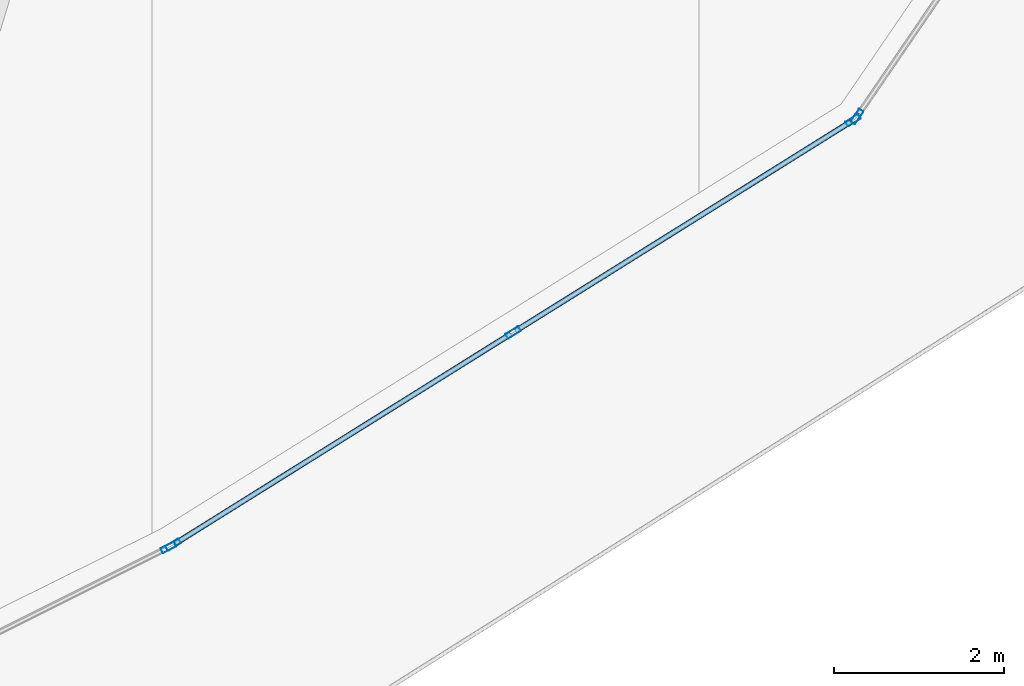
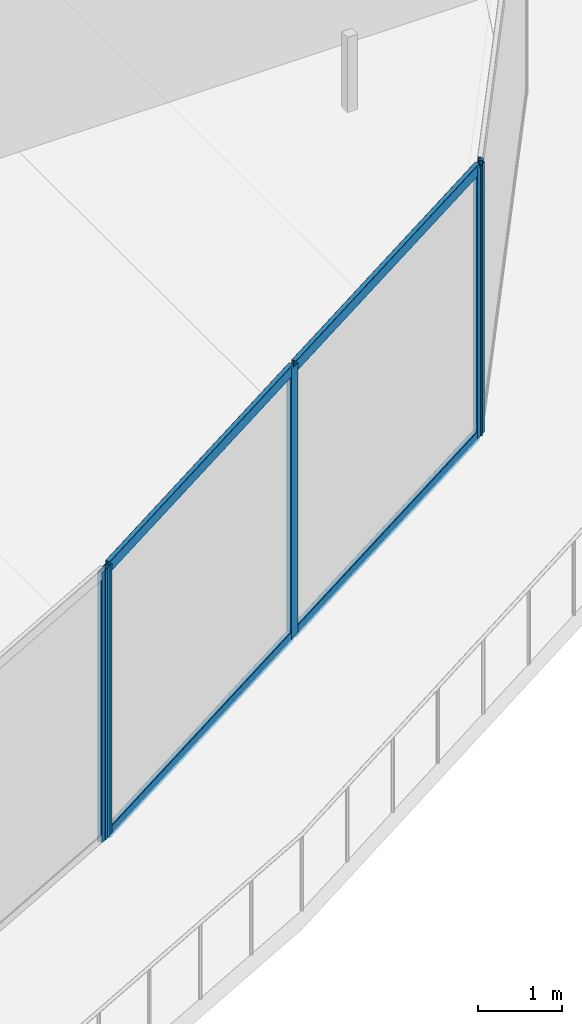
# One storey, part 9 of 45: 9 members, 3 elements without a shape of their own.
"""IFC4 building model written with IfcOpenShell, lengths in metres."""

import ifcopenshell
import ifcopenshell.guid

model = None  # the IFC model being written
_history = None  # IfcOwnerHistory: only IFC2X3 demands one
_inside = {}  # id of a spatial element -> (the spatial element, [elements in it])
_under = {}  # id of a project, library or spatial element -> (it, [spatial elements below it])
_declared = {}  # id of a project -> (the project, [libraries it declares])
_typed = {}  # id of a type object -> (the type object, [elements of that type])
_made_of = {}  # id of a material, layer set ... -> (it, [elements and type objects made of it])


def new_model(schema):
    """Start an empty IFC model of exactly this schema.

    Asked for "IFC4X3", IfcOpenShell would pick the latest addendum, in which some entities
    have other attributes; the version numbers below select the first issue.
    IFC2X3 requires an IfcOwnerHistory on every rooted entity: one is made here for all.
    """
    global model, _history
    if schema == "IFC4X3":
        model = ifcopenshell.file(schema_version=(4, 3, 0, 0))
    else:
        model = ifcopenshell.file(schema=schema)
    _inside.clear()
    _under.clear()
    _declared.clear()
    _typed.clear()
    _made_of.clear()
    _history = None
    if model.schema == "IFC2X3":
        org = make("IfcOrganization", Name="unknown")
        user = make(
            "IfcPersonAndOrganization",
            ThePerson=make("IfcPerson", FamilyName="unknown"),
            TheOrganization=org,
        )
        app = make(
            "IfcApplication",
            ApplicationDeveloper=org,
            Version="unknown",
            ApplicationFullName="unknown",
            ApplicationIdentifier="unknown",
        )
        _history = make(
            "IfcOwnerHistory",
            OwningUser=user,
            OwningApplication=app,
            ChangeAction="ADDED",
            CreationDate=0,
        )
    return model


def make(cls, **values):
    """One entity of the class cls with the attributes given. An attribute that is None is left unset."""
    return model.create_entity(
        cls, **{name: value for name, value in values.items() if value is not None}
    )


def rooted(cls, **values):
    """An entity with a GlobalId (a new one), such as an element, a storey or a relation."""
    return make(cls, GlobalId=ifcopenshell.guid.new(), OwnerHistory=_history, **values)


def si_unit(unit_type, name, prefix=None):
    """IfcSIUnit, for example si_unit("LENGTHUNIT", "METRE", prefix="MILLI")."""
    return make("IfcSIUnit", UnitType=unit_type, Prefix=prefix, Name=name)


def assignment(units):
    """IfcUnitAssignment: the units of a project."""
    return None if units is None else make("IfcUnitAssignment", Units=units)


def point(xyz):
    """IfcCartesianPoint."""
    return None if xyz is None else make("IfcCartesianPoint", Coordinates=xyz)


def direction(xyz):
    """IfcDirection."""
    return None if xyz is None else make("IfcDirection", DirectionRatios=xyz)


def frame(location, z_axis=None, x_axis=None):
    """IfcAxis2Placement3D, a coordinate frame: its origin and axes. An axis left out is left unset."""
    return make(
        "IfcAxis2Placement3D",
        Location=point(location),
        Axis=direction(z_axis),
        RefDirection=direction(x_axis),
    )


def frame_2d(location, x_axis=None):
    """IfcAxis2Placement2D, a coordinate frame in the plane: its origin and x axis."""
    return make(
        "IfcAxis2Placement2D", Location=point(location), RefDirection=direction(x_axis)
    )


def origin():
    """The frame at (0, 0, 0) with its axes left unset."""
    return frame((0.0, 0.0, 0.0))


def origin_2d():
    """The frame at (0, 0) in the plane with its x axis left unset."""
    return frame_2d((0.0, 0.0))


def place(relative_to, where):
    """IfcLocalPlacement: puts the frame where relative to a parent placement (None: the world)."""
    return make(
        "IfcLocalPlacement", PlacementRelTo=relative_to, RelativePlacement=where
    )


def context(
    kind, dimensions, precision=None, world=None, true_north=None, identifier=None
):
    """IfcGeometricRepresentationContext, for example the 3D "Model" context."""
    return make(
        "IfcGeometricRepresentationContext",
        ContextIdentifier=identifier,
        ContextType=kind,
        CoordinateSpaceDimension=dimensions,
        Precision=precision,
        WorldCoordinateSystem=world,
        TrueNorth=true_north,
    )


def subcontext(parent, identifier, kind, view, scale=None):
    """IfcGeometricRepresentationSubContext, for example "Body" below "Model"."""
    return make(
        "IfcGeometricRepresentationSubContext",
        ContextIdentifier=identifier,
        ContextType=kind,
        ParentContext=parent,
        TargetScale=scale,
        TargetView=view,
    )


def project(units=None, contexts=None):
    """IfcProject with its units and contexts."""
    return rooted(
        "IfcProject",
        Name="project",
        RepresentationContexts=contexts,
        UnitsInContext=assignment(units),
    )


def spatial(cls, under=None, at=None, **own):
    """A site, building, storey or space (cls), placed at a placement, below another one or the project."""
    s = rooted(cls, ObjectPlacement=at, **own)
    if under is not None:
        _under.setdefault(under.id(), (under, []))[1].append(s)
    return s


def profile(cls, at=None, kind="AREA", **sizes):
    """A parametric profile (cls). Its sizes go by their IFC names, for example OverallWidth=200.0."""
    return make(cls, ProfileType=kind, Position=at, **sizes)


def hollow_rectangle(**sizes):
    """IfcRectangleHollowProfileDef."""
    return profile("IfcRectangleHollowProfileDef", **sizes)


def extrude(swept, where, along, depth):
    """IfcExtrudedAreaSolid: the profile swept, set in the frame where, extruded along a direction by depth."""
    return make(
        "IfcExtrudedAreaSolid",
        SweptArea=swept,
        Position=where,
        ExtrudedDirection=direction(along),
        Depth=depth,
    )


def shape(context_of_items, identifier, shape_type, items):
    """IfcShapeRepresentation: the items that make up one representation, for example the "Body"."""
    return make(
        "IfcShapeRepresentation",
        ContextOfItems=context_of_items,
        RepresentationIdentifier=identifier,
        RepresentationType=shape_type,
        Items=items,
    )


def material(Name=None, Category=None):
    """IfcMaterial."""
    return make("IfcMaterial", Name=Name, Category=Category)


def layer(
    of_material, thickness, ventilated=None, Name=None, Category=None, Priority=None
):
    """IfcMaterialLayer: one layer of a wall or slab, of a material (None: an air gap)."""
    return make(
        "IfcMaterialLayer",
        Material=of_material,
        LayerThickness=thickness,
        IsVentilated=ventilated,
        Name=Name,
        Category=Category,
        Priority=Priority,
    )


def layer_set(layers, Name=None):
    """IfcMaterialLayerSet."""
    return make("IfcMaterialLayerSet", MaterialLayers=layers, LayerSetName=Name)


def material_profile(
    of_material, cross_section, Name=None, Category=None, Priority=None
):
    """IfcMaterialProfile: a cross section and its material."""
    return make(
        "IfcMaterialProfile",
        Name=Name,
        Material=of_material,
        Profile=cross_section,
        Priority=Priority,
        Category=Category,
    )


def profile_set(profiles, Name=None, composite=None):
    """IfcMaterialProfileSet."""
    return make(
        "IfcMaterialProfileSet",
        Name=Name,
        MaterialProfiles=profiles,
        CompositeProfile=composite,
    )


def made_of(thing, what):
    """Note that an element or type object is made of a material, layer set ...; save() writes the relation."""
    if what is not None:
        _made_of.setdefault(what.id(), (what, []))[1].append(thing)
    return thing


def type_object(cls, material=None, **own):
    """A type object (cls), such as IfcWallType, which elements share."""
    return made_of(rooted(cls, **own), material)


def element(
    cls,
    number,
    at=None,
    inside=None,
    cuts=None,
    type_object=None,
    material=None,
    context=None,
    identifier="Body",
    shape_type=None,
    held_by="IfcProductDefinitionShape",
    body=None,
    shapes=None,
    **own,
):
    """One element of the class cls, such as IfcWall. Its Tag is "e" and its number.

    at: its placement. inside: the storey or other place that contains it. cuts: it is an
    opening in that element (IfcRelVoidsElement). A single representation is given by context,
    identifier, shape_type and body (its items); several are given by shapes. held_by: the class
    of the entity that holds the representations. save() writes the other relations.
    """
    e = rooted(cls, Tag="e%d" % number, ObjectPlacement=at, **own)
    if body is not None:
        shapes = [shape(context, identifier, shape_type, body)]
    if shapes is not None:
        e.Representation = make(held_by, Representations=shapes)
    if inside is not None:
        _inside.setdefault(inside.id(), (inside, []))[1].append(e)
    if cuts is not None:
        rooted(
            "IfcRelVoidsElement", RelatingBuildingElement=cuts, RelatedOpeningElement=e
        )
    if type_object is not None:
        _typed.setdefault(type_object.id(), (type_object, []))[1].append(e)
    return made_of(e, material)


def aggregate(whole, parts):
    """IfcRelAggregates: a whole, such as a stair, and the parts it consists of."""
    return rooted("IfcRelAggregates", RelatingObject=whole, RelatedObjects=parts)


def save(model, path):
    """Write the relations noted so far, then the file.

    IfcRelAggregates (storeys below a building ...), IfcRelContainedInSpatialStructure (elements
    in a storey), IfcRelDefinesByType, IfcRelAssociatesMaterial and IfcRelDeclares: one each for
    every whole, place, type object, material and project.
    """
    for whole, parts in _under.values():
        aggregate(whole, parts)
    for where, things in _inside.values():
        rooted(
            "IfcRelContainedInSpatialStructure",
            RelatedElements=things,
            RelatingStructure=where,
        )
    for kind, things in _typed.values():
        rooted("IfcRelDefinesByType", RelatedObjects=things, RelatingType=kind)
    for what, things in _made_of.values():
        rooted("IfcRelAssociatesMaterial", RelatedObjects=things, RelatingMaterial=what)
    for by, libraries in _declared.values():
        rooted("IfcRelDeclares", RelatingContext=by, RelatedDefinitions=libraries)
    model.write(path)


model = new_model("IFC4")

# Units and contexts
model_context = context("Model", 3, precision=1e-05, world=origin(), true_north=direction((0.0, 1.0)))
body_context = subcontext(model_context, "Body", "Model", "MODEL_VIEW")
ifc_project = project(units=[si_unit("LENGTHUNIT", "METRE"), si_unit("AREAUNIT", "SQUARE_METRE"), si_unit("VOLUMEUNIT", "CUBIC_METRE"), si_unit("PLANEANGLEUNIT", "RADIAN"), si_unit("MASSUNIT", "GRAM", prefix="KILO")], contexts=[model_context])

# Site, building, storey
site_placement = place(None, origin())
site = spatial("IfcSite", under=ifc_project, at=site_placement, CompositionType="ELEMENT")
building_placement = place(site_placement, origin())
building = spatial("IfcBuilding", under=site, at=building_placement, Name="Qorvath Tower", CompositionType="ELEMENT")
storey_placement = place(building_placement, frame((0.0, 0.0, 91.199951171875)))
storey = spatial("IfcBuildingStorey", under=building, at=storey_placement, Name="L20", CompositionType="ELEMENT", Elevation=91.199951171875)

# Curtain wall, member
ifc_material_1 = material(Name="Anodised aluminium and triple low-E glass", Category="aluminium")
ifc_layer = layer(ifc_material_1, 0.179931640625)
ifc_layer_set = layer_set([ifc_layer], Name="CW-SYS-2")
curtain_wall_type = type_object("IfcCurtainWallType", Name="CW-SYS-2", PredefinedType="NOTDEFINED", material=ifc_layer_set)
curtain_wall_1_placement = place(storey_placement, origin())
curtain_wall_1 = element("IfcCurtainWall", 1, at=curtain_wall_1_placement, inside=storey, type_object=curtain_wall_type, Name="Curtain Wall CW-2 CW-T-L20-3.1", PredefinedType="NOTDEFINED")
ifc_material_2 = material(Name="Anodised aluminium 6063-T6", Category="aluminium")
ifc_material_profile_1 = material_profile(ifc_material_2, hollow_rectangle(XDim=0.06494140625, YDim=0.179931640625, WallThickness=0.00341796875, InnerFilletRadius=0.00341796875, OuterFilletRadius=0.007080078125, at=origin_2d()), Name="CWM 180x65")
ifc_profile_set_1 = profile_set([ifc_material_profile_1], Name="Anodised aluminium 6063-T6")
member_type_1 = type_object("IfcMemberType", Name="CWM-180", PredefinedType="MULLION", material=ifc_profile_set_1)
member_1_placement = place(storey_placement, frame((-10.95166015625, -29.4150390625, 0.0), z_axis=(0.0, 0.0, 1.0), x_axis=(-0.447245233408, 0.894411371347, 0.0)))
member_1 = element("IfcMember", 2, at=member_1_placement, type_object=member_type_1, Name="CW-2 mullion 2", PredefinedType="MULLION", context=body_context, shape_type="SweptSolid", body=[
    extrude(hollow_rectangle(XDim=0.06494140625, YDim=0.179931640625, WallThickness=0.00341796875, InnerFilletRadius=0.00341796875, OuterFilletRadius=0.007080078125, at=origin_2d()), origin(), (0.0, 0.0, 1.0), 3.920166015625),
])
aggregate(curtain_wall_1, [member_1])

# Curtain wall, members
curtain_wall_2_placement = place(storey_placement, origin())
curtain_wall_2 = element("IfcCurtainWall", 3, at=curtain_wall_2_placement, inside=storey, type_object=curtain_wall_type, Name="Curtain Wall CW-2 CW-T-L20-4.1", PredefinedType="NOTDEFINED")
member_2_placement = place(storey_placement, frame((-10.89501953125, -29.38330078125, 0.0), z_axis=(0.0, 0.0, 1.0), x_axis=(-0.529595857203, 0.848250097573, 0.0)))
member_2 = element("IfcMember", 4, at=member_2_placement, type_object=member_type_1, Name="CW-2 mullion 1", PredefinedType="MULLION", context=body_context, shape_type="SweptSolid", body=[
    extrude(hollow_rectangle(XDim=0.06494140625, YDim=0.179931640625, WallThickness=0.00341796875, InnerFilletRadius=0.00341796875, OuterFilletRadius=0.007080078125, at=origin_2d()), origin(), (0.0, 0.0, 1.0), 3.920166015625),
])
member_3_placement = place(storey_placement, frame((-6.90234375, -26.890625, 0.0), z_axis=(0.0, 0.0, 1.0), x_axis=(-0.529595857203, 0.848250097573, 0.0)))
member_3 = element("IfcMember", 5, at=member_3_placement, type_object=member_type_1, Name="CW-2 mullion 2", PredefinedType="MULLION", context=body_context, shape_type="SweptSolid", body=[
    extrude(hollow_rectangle(XDim=0.06494140625, YDim=0.179931640625, WallThickness=0.00341796875, InnerFilletRadius=0.00341796875, OuterFilletRadius=0.007080078125, at=origin_2d()), origin(), (0.0, 0.0, 1.0), 3.920166015625),
])
member_4_placement = place(storey_placement, frame((-2.90966796875, -24.397705078125, 0.0), z_axis=(0.0, 0.0, 1.0), x_axis=(-0.529595857203, 0.848250097573, 0.0)))
member_4 = element("IfcMember", 6, at=member_4_placement, type_object=member_type_1, Name="CW-2 mullion 3", PredefinedType="MULLION", context=body_context, shape_type="SweptSolid", body=[
    extrude(hollow_rectangle(XDim=0.06494140625, YDim=0.179931640625, WallThickness=0.00341796875, InnerFilletRadius=0.00341796875, OuterFilletRadius=0.007080078125, at=origin_2d()), origin(), (0.0, 0.0, 1.0), 3.920166015625),
])

# Curtain wall, member
curtain_wall_3_placement = place(storey_placement, origin())
curtain_wall_3 = element("IfcCurtainWall", 7, at=curtain_wall_3_placement, inside=storey, type_object=curtain_wall_type, Name="Curtain Wall CW-2 CW-T-L20-5.1", PredefinedType="NOTDEFINED")
member_5_placement = place(storey_placement, frame((-2.86376953125, -24.353759765625, 0.0), z_axis=(0.0, 0.0, 1.0), x_axis=(-0.825732659314, 0.564061676895, 0.0)))
member_5 = element("IfcMember", 8, at=member_5_placement, type_object=member_type_1, Name="CW-2 mullion 1", PredefinedType="MULLION", context=body_context, shape_type="SweptSolid", body=[
    extrude(hollow_rectangle(XDim=0.06494140625, YDim=0.179931640625, WallThickness=0.00341796875, InnerFilletRadius=0.00341796875, OuterFilletRadius=0.007080078125, at=origin_2d()), origin(), (0.0, 0.0, 1.0), 3.920166015625),
])
aggregate(curtain_wall_3, [member_5])

# Member
ifc_material_3 = material(Name="Anodised aluminium 6063-T6", Category="aluminium")
ifc_material_profile_2 = material_profile(ifc_material_3, hollow_rectangle(XDim=0.06494140625, YDim=0.159912109375, WallThickness=0.00341796875, InnerFilletRadius=0.00341796875, OuterFilletRadius=0.007080078125, at=origin_2d()), Name="CWT 160x65")
ifc_profile_set_2 = profile_set([ifc_material_profile_2], Name="Anodised aluminium 6063-T6")
member_type_2 = type_object("IfcMemberType", Name="CWT-160", PredefinedType="USERDEFINED", material=ifc_profile_set_2)
member_6_placement = place(storey_placement, frame((-10.867431640625, -29.3662109375, 0.032470703125), z_axis=(0.848234596795, 0.529620683887, 0.0), x_axis=(-0.529620683887, 0.848234596795, 0.0)))
member_6 = element("IfcMember", 9, at=member_6_placement, type_object=member_type_2, Name="CW-2 transom 1.1", ObjectType="TRANSOM", PredefinedType="USERDEFINED", context=body_context, shape_type="SweptSolid", body=[
    extrude(hollow_rectangle(XDim=0.06494140625, YDim=0.159912109375, WallThickness=0.00341796875, InnerFilletRadius=0.00341796875, OuterFilletRadius=0.007080078125, at=origin_2d()), origin(), (0.0, 0.0, 1.0), 4.64208984375),
])

member_7_placement = place(storey_placement, frame((-10.867431640625, -29.3662109375, 3.8876953125), z_axis=(0.848234596795, 0.529620683887, 0.0), x_axis=(-0.529620683887, 0.848234596795, 0.0)))
member_7 = element("IfcMember", 10, at=member_7_placement, type_object=member_type_2, Name="CW-2 transom 1.2", ObjectType="TRANSOM", PredefinedType="USERDEFINED", context=body_context, shape_type="SweptSolid", body=[
    extrude(hollow_rectangle(XDim=0.06494140625, YDim=0.159912109375, WallThickness=0.00341796875, InnerFilletRadius=0.00341796875, OuterFilletRadius=0.007080078125, at=origin_2d()), origin(), (0.0, 0.0, 1.0), 4.64208984375),
])

member_8_placement = place(storey_placement, frame((-6.874755859375, -26.873291015625, 0.032470703125), z_axis=(0.848258224033, 0.529582840885, 0.0), x_axis=(-0.529582840885, 0.848258224033, 0.0)))
member_8 = element("IfcMember", 11, at=member_8_placement, type_object=member_type_2, Name="CW-2 transom 2.1", ObjectType="TRANSOM", PredefinedType="USERDEFINED", context=body_context, shape_type="SweptSolid", body=[
    extrude(hollow_rectangle(XDim=0.06494140625, YDim=0.159912109375, WallThickness=0.00341796875, InnerFilletRadius=0.00341796875, OuterFilletRadius=0.007080078125, at=origin_2d()), origin(), (0.0, 0.0, 1.0), 4.641845703125),
])

member_9_placement = place(storey_placement, frame((-6.874755859375, -26.873291015625, 3.8876953125), z_axis=(0.848258224033, 0.529582840885, 0.0), x_axis=(-0.529582840885, 0.848258224033, 0.0)))
member_9 = element("IfcMember", 12, at=member_9_placement, type_object=member_type_2, Name="CW-2 transom 2.2", ObjectType="TRANSOM", PredefinedType="USERDEFINED", context=body_context, shape_type="SweptSolid", body=[
    extrude(hollow_rectangle(XDim=0.06494140625, YDim=0.159912109375, WallThickness=0.00341796875, InnerFilletRadius=0.00341796875, OuterFilletRadius=0.007080078125, at=origin_2d()), origin(), (0.0, 0.0, 1.0), 4.641845703125),
])

aggregate(curtain_wall_2, [member_2, member_3, member_4, member_6, member_7, member_8, member_9])

save(model, "model.ifc")
